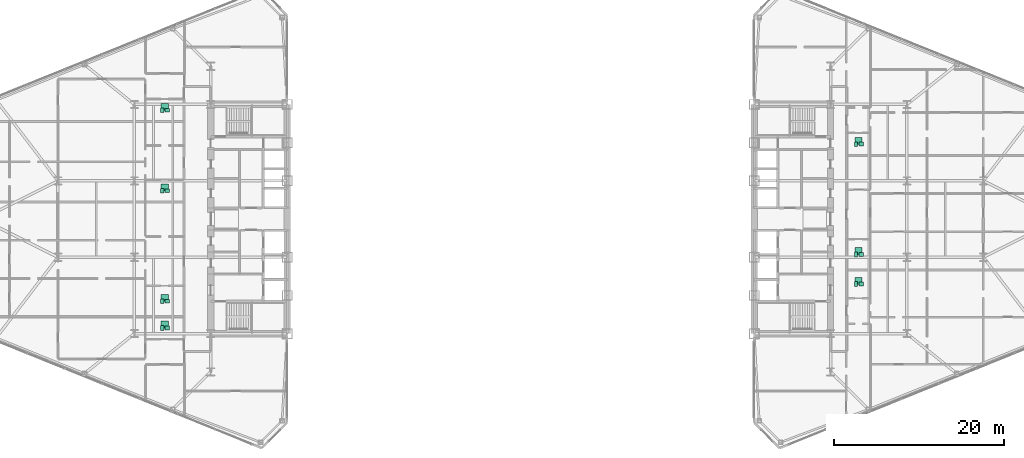
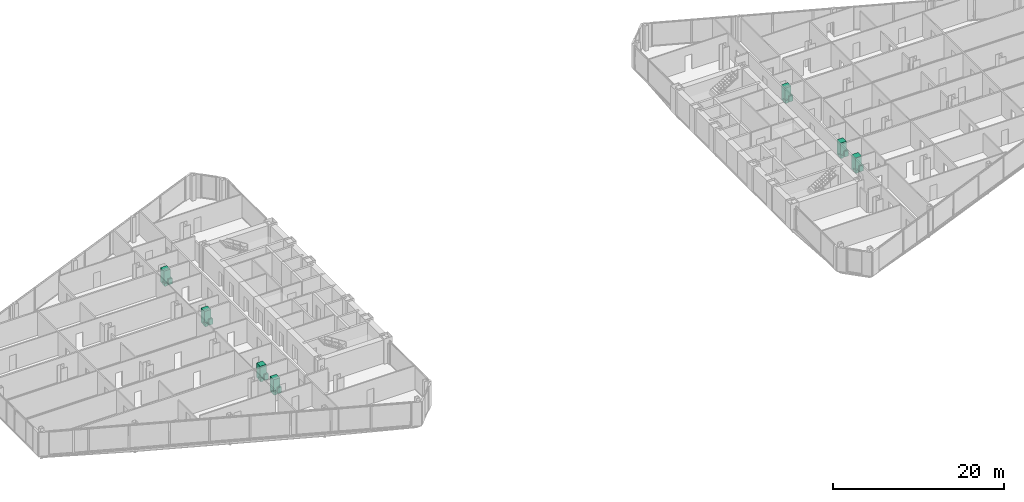
# One storey, part 25 of 25: 21 sanitary terminals.
"""IFC4 building model written with IfcOpenShell, lengths in metres."""

from ifc_helpers import new_model, si_unit, direction, frame, origin, origin_2d, place, context, subcontext, project, spatial, rectangle, extrude, source, transform, mapped, material, type_object, type_shapes, element, save


model = new_model("IFC4")

# Units and contexts
model_context = context("Model", 3, precision=1e-05, world=origin(), true_north=direction((0.0, 1.0)))
body_context = subcontext(model_context, "Body", "Model", "MODEL_VIEW")
ifc_project = project(units=[si_unit("LENGTHUNIT", "METRE"), si_unit("AREAUNIT", "SQUARE_METRE"), si_unit("VOLUMEUNIT", "CUBIC_METRE"), si_unit("PLANEANGLEUNIT", "RADIAN"), si_unit("MASSUNIT", "GRAM", prefix="KILO")], contexts=[model_context])

# Site, building, storey
site_placement = place(None, origin())
site = spatial("IfcSite", under=ifc_project, at=site_placement, CompositionType="ELEMENT")
building_placement = place(site_placement, origin())
building = spatial("IfcBuilding", under=site, at=building_placement, Name="Seokmaru Belvedere", CompositionType="ELEMENT")
storey_placement = place(building_placement, frame((0.0, 0.0, 29.699951171875)))
storey = spatial("IfcBuildingStorey", under=building, at=storey_placement, Name="L07", CompositionType="ELEMENT", Elevation=29.699951171875)

# Sanitary terminals
ifc_material_1 = material(Name="Vitreous China Sanitaryware")
sanitary_terminal_type_1 = type_object("IfcSanitaryTerminalType", Name="Wall-Hung Vitreous China WC Pan", PredefinedType="TOILETPAN", material=ifc_material_1)
shared_shape_1 = source(origin(), body_context, "Body", "SweptSolid", [
    extrude(rectangle(XDim=0.3798828125, YDim=0.56005859375, at=origin_2d()), origin(), (0.0, 0.0, 1.0), 0.419921875),
])
type_shapes(sanitary_terminal_type_1, [shared_shape_1])
for number, where, z_axis, x_axis, name in (
    (1, (-42.22509765625, -12.822021484375, 0.0), (0.0, 0.0, 1.0), (1.0, 0.0, 0.0), "L07 Vitreous China WC 0031"),
    (2, (-42.22509765625, -9.677978515625, 0.0), (0.0, 0.0, 1.0), (1.0, 0.0, 0.0), "L07 Vitreous China WC 0032"),
    (3, (-42.22509765625, 3.322021484375, 0.0), (0.0, 0.0, 1.0), (1.0, 0.0, 0.0), "L07 Vitreous China WC 0033"),
    (4, (-42.22509765625, 12.822021484375, 0.0), (0.0, 0.0, 1.0), (1.0, 0.0, 0.0), "L07 Vitreous China WC 0034"),
    (5, (39.5, -7.6640625, 0.0), (0.0, 0.0, 1.0), (1.0, 0.0, 0.0), "L07 Vitreous China WC 0035"),
    (6, (39.5, -4.177978515625, 0.0), (0.0, 0.0, 1.0), (1.0, 0.0, 0.0), "L07 Vitreous China WC 0036"),
    (7, (39.5, 8.822021484375, 0.0), (0.0, 0.0, 1.0), (1.0, 0.0, 0.0), "L07 Vitreous China WC 0037"),
):
    element("IfcSanitaryTerminal", number, at=place(storey_placement, frame(where, z_axis=z_axis, x_axis=x_axis)), inside=storey, type_object=sanitary_terminal_type_1, Name=name, PredefinedType="TOILETPAN", context=body_context, shape_type="MappedRepresentation", body=[
        mapped(shared_shape_1, transform((0.0, 0.0, 0.0), scale=1.0)),
    ])
sanitary_terminal_type_2 = type_object("IfcSanitaryTerminalType", Name="Countertop Ceramic Washhand Basin", PredefinedType="WASHHANDBASIN", material=ifc_material_1)
shared_shape_2 = source(origin(), body_context, "Body", "SweptSolid", [
    extrude(rectangle(XDim=0.550048828125, YDim=0.449951171875, at=origin_2d()), origin(), (0.0, 0.0, 1.0), 0.820068359375),
])
type_shapes(sanitary_terminal_type_2, [shared_shape_2])
for number, where, z_axis, x_axis, name in (
    (8, (-41.625, -12.822021484375, 0.0), (0.0, 0.0, 1.0), (1.0, 0.0, 0.0), "L07 Ceramic Washhand Basin 0031"),
    (9, (-41.625, -9.677978515625, 0.0), (0.0, 0.0, 1.0), (1.0, 0.0, 0.0), "L07 Ceramic Washhand Basin 0032"),
    (10, (-41.625, 3.322021484375, 0.0), (0.0, 0.0, 1.0), (1.0, 0.0, 0.0), "L07 Ceramic Washhand Basin 0033"),
    (11, (-41.625, 12.822021484375, 0.0), (0.0, 0.0, 1.0), (1.0, 0.0, 0.0), "L07 Ceramic Washhand Basin 0034"),
    (12, (40.10009765625, -7.6640625, 0.0), (0.0, 0.0, 1.0), (1.0, 0.0, 0.0), "L07 Ceramic Washhand Basin 0035"),
    (13, (40.10009765625, -4.177978515625, 0.0), (0.0, 0.0, 1.0), (1.0, 0.0, 0.0), "L07 Ceramic Washhand Basin 0036"),
    (14, (40.10009765625, 8.822021484375, 0.0), (0.0, 0.0, 1.0), (1.0, 0.0, 0.0), "L07 Ceramic Washhand Basin 0037"),
):
    element("IfcSanitaryTerminal", number, at=place(storey_placement, frame(where, z_axis=z_axis, x_axis=x_axis)), inside=storey, type_object=sanitary_terminal_type_2, Name=name, PredefinedType="WASHHANDBASIN", context=body_context, shape_type="MappedRepresentation", body=[
        mapped(shared_shape_2, transform((0.0, 0.0, 0.0), scale=1.0)),
    ])
ifc_material_2 = material(Name="Stainless Steel 316", Category="steel")
sanitary_terminal_type_3 = type_object("IfcSanitaryTerminalType", Name="Walk-In Thermostatic Rain Shower Enclosure", PredefinedType="SHOWER", material=ifc_material_2)
shared_shape_3 = source(origin(), body_context, "Body", "SweptSolid", [
    extrude(rectangle(XDim=0.85009765625, YDim=0.85009765625, at=origin_2d()), origin(), (0.0, 0.0, 1.0), 2.050048828125),
])
type_shapes(sanitary_terminal_type_3, [shared_shape_3])
for number, where, z_axis, x_axis, name in (
    (15, (-41.925048828125, -12.44189453125, 0.0), (0.0, 0.0, 1.0), (1.0, 0.0, 0.0), "L07 Walk-In Shower 0031"),
    (16, (-41.925048828125, -9.298095703125, 0.0), (0.0, 0.0, 1.0), (1.0, 0.0, 0.0), "L07 Walk-In Shower 0032"),
    (17, (-41.925048828125, 3.701904296875, 0.0), (0.0, 0.0, 1.0), (1.0, 0.0, 0.0), "L07 Walk-In Shower 0033"),
    (18, (-41.925048828125, 13.202880859375, 0.0), (0.0, 0.0, 1.0), (1.0, 0.0, 0.0), "L07 Walk-In Shower 0034"),
    (19, (39.800048828125, -7.283935546875, 0.0), (0.0, 0.0, 1.0), (1.0, 0.0, 0.0), "L07 Walk-In Shower 0035"),
    (20, (39.800048828125, -3.798095703125, 0.0), (0.0, 0.0, 1.0), (1.0, 0.0, 0.0), "L07 Walk-In Shower 0036"),
    (21, (39.800048828125, 9.202880859375, 0.0), (0.0, 0.0, 1.0), (1.0, 0.0, 0.0), "L07 Walk-In Shower 0037"),
):
    element("IfcSanitaryTerminal", number, at=place(storey_placement, frame(where, z_axis=z_axis, x_axis=x_axis)), inside=storey, type_object=sanitary_terminal_type_3, Name=name, PredefinedType="SHOWER", context=body_context, shape_type="MappedRepresentation", body=[
        mapped(shared_shape_3, transform((0.0, 0.0, 0.0), scale=1.0)),
    ])

save(model, "model.ifc")
